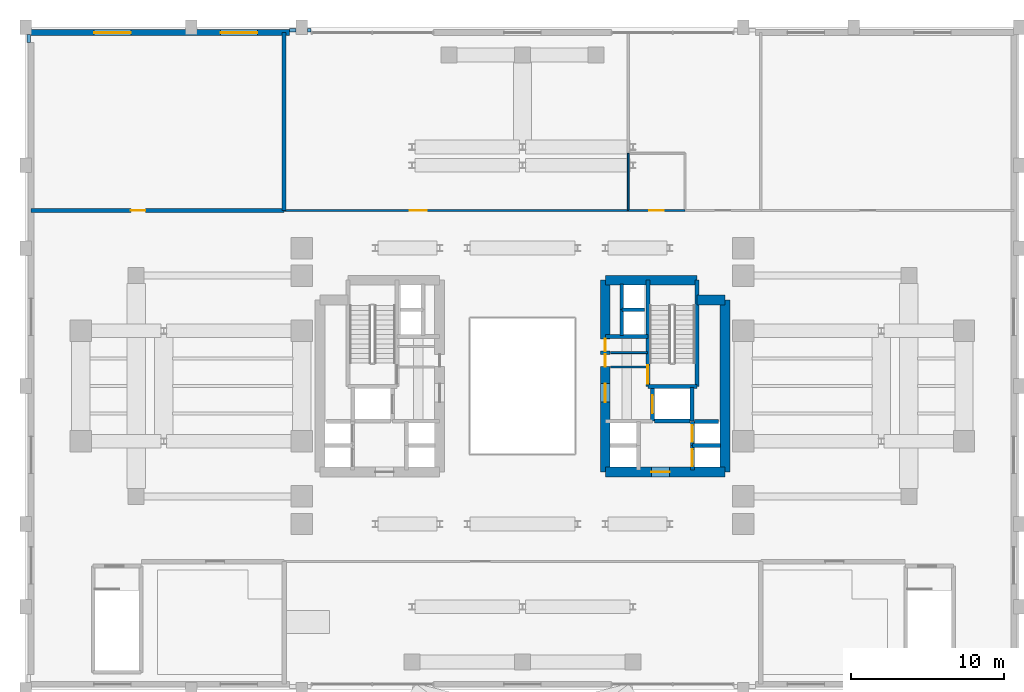
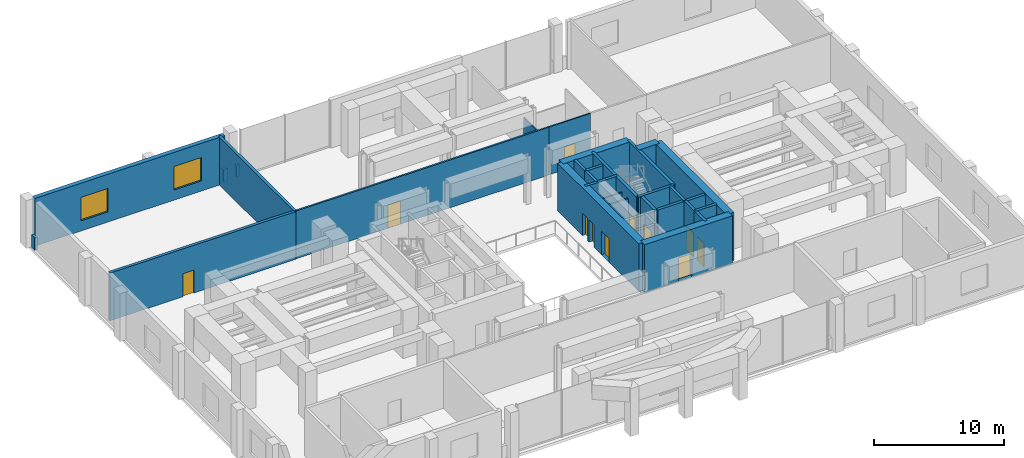
# One storey, part 10 of 13: 30 walls, 11 doors, 2 windows, 13 openings.
"""IFC4 building model written with IfcOpenShell, lengths in metres."""

from ifc_helpers import new_model, si_unit, direction, frame, frame_2d, origin, place, context, subcontext, project, spatial, rectangle, extrude, source, transform, mapped, material, layer, layer_set, type_object, element, fill, save


model = new_model("IFC4")

# Units and contexts
model_context = context("Model", 3, precision=1e-05, world=origin(), true_north=direction((0.0, 1.0)))
body_context = subcontext(model_context, "Body", "Model", "MODEL_VIEW")
ifc_project = project(units=[si_unit("LENGTHUNIT", "METRE"), si_unit("AREAUNIT", "SQUARE_METRE"), si_unit("VOLUMEUNIT", "CUBIC_METRE"), si_unit("PLANEANGLEUNIT", "RADIAN"), si_unit("MASSUNIT", "GRAM", prefix="KILO")], contexts=[model_context])

# Site, building, storey
site_placement = place(None, origin())
site = spatial("IfcSite", under=ifc_project, at=site_placement, CompositionType="ELEMENT")
building_placement = place(site_placement, origin())
building = spatial("IfcBuilding", under=site, at=building_placement, Name="Keilestroom Media Tower", CompositionType="ELEMENT")
storey_placement = place(building_placement, frame((0.0, 0.0, 20.39990234375)))
storey = spatial("IfcBuildingStorey", under=building, at=storey_placement, Name="L04", CompositionType="ELEMENT", Elevation=20.39990234375)

# Wall, opening, door
ifc_material_1 = material(Name="Concrete C45/55", Category="concrete")
ifc_layer_1 = layer(ifc_material_1, 0.25)
ifc_layer_set_1 = layer_set([ifc_layer_1], Name="Concrete C45/55")
wall_type_1 = type_object("IfcWallType", Name="Acoustic-Studio-Isolation-Wall-250", PredefinedType="SOLIDWALL", material=ifc_layer_set_1)
wall_1_placement = place(storey_placement, frame((-32.050048828125, 11.449951171875, 0.0), z_axis=(0.0, 0.0, 1.0), x_axis=(1.0, 0.0, 0.0)))
wall_1 = element("IfcWall", 1, at=wall_1_placement, inside=storey, type_object=wall_type_1, Name="L04 Interior Wall WP-L04-CTRL-NW-S", PredefinedType="SOLIDWALL", context=body_context, shape_type="SweptSolid", body=[
    extrude(rectangle(XDim=16.5, YDim=0.25, at=frame_2d((8.25, 0.0))), origin(), (0.0, 0.0, 1.0), 4.47998046875),
])
opening_1_placement = place(wall_1_placement, frame((6.5, 0.0, 0.0)))
opening_1 = element("IfcOpeningElement", 2, at=opening_1_placement, cuts=wall_1, Name="Opening DI-03", PredefinedType="OPENING", context=body_context, shape_type="SweptSolid", body=[
    extrude(rectangle(XDim=0.949951171875, YDim=2.14990234375, at=frame_2d((0.47509765625, 1.074951171875))), frame((0.0, 0.135009765625, 0.0), z_axis=(0.0, -1.0, 0.0), x_axis=(1.0, 0.0, 0.0)), (0.0, 0.0, 1.0), 0.27001953125),
])
ifc_material_2 = material(Name="Lacquered European Oak Leaf", Category="wood")
door_type_1 = type_object("IfcDoorType", Name="Interior-Room-And-Suite-Door-DI-03", OperationType="NOTDEFINED", PredefinedType="DOOR", material=ifc_material_2)
shared_shape_1 = source(origin(), body_context, "Body", "SweptSolid", [
    extrude(rectangle(XDim=0.949951171875, YDim=2.14990234375, at=frame_2d((0.47509765625, 1.074951171875))), frame((0.0, 0.02490234375, 0.0), z_axis=(0.0, -1.0, 0.0), x_axis=(1.0, 0.0, 0.0)), (0.0, 0.0, 1.0), 0.050048828125),
])
door_1_placement = place(opening_1_placement, origin())
door_1 = element("IfcDoor", 3, at=door_1_placement, inside=storey, type_object=door_type_1, Name="L04 Interior Door DI-L04-CTRL-NW-D", OperationType="SINGLE_SWING_LEFT", OverallHeight=2.14990234375, OverallWidth=0.949951171875, PredefinedType="DOOR", context=body_context, shape_type="MappedRepresentation", body=[
    mapped(shared_shape_1, transform((0.0, 0.0, 0.0), x_axis=(1.0, 0.0, 0.0), y_axis=(0.0, 1.0, 0.0), z_axis=(0.0, 0.0, 1.0), scale=1.0)),
])
fill(opening_1, door_1)

# Wall
wall_2_placement = place(storey_placement, frame((-15.550048828125, 11.449951171875, 0.0), z_axis=(0.0, 0.0, 1.0), x_axis=(0.0, 1.0, 0.0)))
element("IfcWall", 4, at=wall_2_placement, inside=storey, type_object=wall_type_1, Name="L04 Interior Wall WP-L04-CTRL-NW-E", PredefinedType="SOLIDWALL", context=body_context, shape_type="SweptSolid", body=[
    extrude(rectangle(XDim=11.60009765625, YDim=0.25, at=frame_2d((5.800048828125, 0.0))), origin(), (0.0, 0.0, 1.0), 4.47998046875),
])

# Wall, openings, windows
ifc_material_3 = material(Name="Precast concrete C40/50", Category="concrete")
ifc_layer_2 = layer(ifc_material_3, 0.3798828125)
ifc_layer_set_2 = layer_set([ifc_layer_2], Name="Precast concrete C40/50")
wall_type_2 = type_object("IfcWallType", Name="Exterior-Masonry-Spandrel-Wall-380", PredefinedType="SOLIDWALL", material=ifc_layer_set_2)
wall_3_placement = place(storey_placement, frame((-32.050048828125, 23.050048828125, 0.0), z_axis=(0.0, 0.0, 1.0), x_axis=(1.0, 0.0, 0.0)))
wall_3 = element("IfcWall", 5, at=wall_3_placement, inside=storey, type_object=wall_type_2, Name="L04 Podium Precast Masonry Wall EWL-L04-N-W", PredefinedType="SOLIDWALL", context=body_context, shape_type="SweptSolid", body=[
    extrude(rectangle(XDim=16.85009765625, YDim=0.3798828125, at=frame_2d((8.425048828125, 0.0))), origin(), (0.0, 0.0, 1.0), 4.47998046875),
])
opening_2_placement = place(wall_3_placement, frame((4.112060546875, 0.0, 0.949951171875)))
opening_2 = element("IfcOpeningElement", 6, at=opening_2_placement, cuts=wall_3, Name="Opening WN-02", PredefinedType="OPENING", context=body_context, shape_type="SweptSolid", body=[
    extrude(rectangle(XDim=2.39990234375, YDim=2.199951171875, at=frame_2d((1.199951171875, 1.10009765625))), frame((0.0, 0.199951171875, 0.0), z_axis=(0.0, -1.0, 0.0), x_axis=(1.0, 0.0, 0.0)), (0.0, 0.0, 1.0), 0.39990234375),
])
opening_3_placement = place(wall_3_placement, frame((12.362060546875, 0.0, 0.949951171875)))
opening_3 = element("IfcOpeningElement", 7, at=opening_3_placement, cuts=wall_3, Name="Opening WN-02", PredefinedType="OPENING", context=body_context, shape_type="SweptSolid", body=[
    extrude(rectangle(XDim=2.39990234375, YDim=2.199951171875, at=frame_2d((1.199951171875, 1.10009765625))), frame((0.0, 0.199951171875, 0.0), z_axis=(0.0, -1.0, 0.0), x_axis=(1.0, 0.0, 0.0)), (0.0, 0.0, 1.0), 0.39990234375),
])
ifc_material_4 = material(Name="Triple Glazed Low-E Window Unit", Category="glass")
window_type = type_object("IfcWindowType", Name="Recessed-Punched-Window-WN-02", PartitioningType="DOUBLE_PANEL_VERTICAL", PredefinedType="WINDOW", material=ifc_material_4)
shared_shape_2 = source(origin(), body_context, "Body", "SweptSolid", [
    extrude(rectangle(XDim=2.39990234375, YDim=2.199951171875, at=frame_2d((1.199951171875, 1.10009765625))), frame((0.0, 0.030029296875, 0.0), z_axis=(0.0, -1.0, 0.0), x_axis=(1.0, 0.0, 0.0)), (0.0, 0.0, 1.0), 0.06005859375),
])
window_1_placement = place(opening_2_placement, origin())
window_1 = element("IfcWindow", 8, at=window_1_placement, inside=storey, type_object=window_type, Name="L04 Window WN-02 EWL-L04-N-W-1", OverallHeight=2.199951171875, OverallWidth=2.39990234375, PartitioningType="SINGLE_PANEL", PredefinedType="WINDOW", context=body_context, shape_type="MappedRepresentation", body=[
    mapped(shared_shape_2, transform((0.0, 0.0, 0.0), x_axis=(1.0, 0.0, 0.0), y_axis=(0.0, 1.0, 0.0), z_axis=(0.0, 0.0, 1.0), scale=1.0)),
])
fill(opening_2, window_1)
window_2_placement = place(opening_3_placement, origin())
window_2 = element("IfcWindow", 9, at=window_2_placement, inside=storey, type_object=window_type, Name="L04 Window WN-02 EWL-L04-N-W-2", OverallHeight=2.199951171875, OverallWidth=2.39990234375, PartitioningType="SINGLE_PANEL", PredefinedType="WINDOW", context=body_context, shape_type="MappedRepresentation", body=[
    mapped(shared_shape_2, transform((0.0, 0.0, 0.0), x_axis=(1.0, 0.0, 0.0), y_axis=(0.0, 1.0, 0.0), z_axis=(0.0, 0.0, 1.0), scale=1.0)),
])
fill(opening_3, window_2)

# Wall
ifc_material_5 = material(Name="Gypsum Plasterboard & Steel Stud", Category="steel")
ifc_layer_3 = layer(ifc_material_5, 0.1201171875)
ifc_layer_set_3 = layer_set([ifc_layer_3], Name="Gypsum Plasterboard & Steel Stud")
wall_type_3 = type_object("IfcWallType", Name="Interior-Partition-Wall-120", PredefinedType="PARTITIONING", material=ifc_layer_set_3)
wall_4_placement = place(storey_placement, frame((5.75, 2.179931640625, 0.0), z_axis=(0.0, 0.0, 1.0), x_axis=(1.0, 0.0, 0.0)))
element("IfcWall", 10, at=wall_4_placement, inside=storey, type_object=wall_type_3, Name="L04 Interior Wall WP-L04-CNE-N", PredefinedType="PARTITIONING", context=body_context, shape_type="SweptSolid", body=[
    extrude(rectangle(XDim=2.389892578125, YDim=0.1201171875, at=frame_2d((1.19482421875, 0.0))), origin(), (0.0, 0.0, 1.0), 3.580078125),
])

# Wall, opening, door
wall_5_placement = place(storey_placement, frame((6.89990234375, 11.449951171875, 0.0), z_axis=(0.0, 0.0, 1.0), x_axis=(1.0, 0.0, 0.0)))
wall_5 = element("IfcWall", 11, at=wall_5_placement, inside=storey, type_object=wall_type_3, Name="L04 Interior Wall WP-L04-WC-POD-S", PredefinedType="PARTITIONING", context=body_context, shape_type="SweptSolid", body=[
    extrude(rectangle(XDim=3.7001953125, YDim=0.1201171875, at=frame_2d((1.85009765625, 0.0))), origin(), (0.0, 0.0, 1.0), 4.47998046875),
])
opening_4_placement = place(wall_5_placement, frame((1.375, 0.0, 0.0)))
opening_4 = element("IfcOpeningElement", 12, at=opening_4_placement, cuts=wall_5, Name="Opening DI-03", PredefinedType="OPENING", context=body_context, shape_type="SweptSolid", body=[
    extrude(rectangle(XDim=0.949951171875, YDim=2.14990234375, at=frame_2d((0.47509765625, 1.074951171875))), frame((0.0, 0.070068359375, 0.0), z_axis=(0.0, -1.0, 0.0), x_axis=(1.0, 0.0, 0.0)), (0.0, 0.0, 1.0), 0.14013671875),
])
door_2_placement = place(opening_4_placement, origin())
door_2 = element("IfcDoor", 13, at=door_2_placement, inside=storey, type_object=door_type_1, Name="L04 Interior Door DI-L04-DWC-POD", OperationType="SINGLE_SWING_RIGHT", OverallHeight=2.14990234375, OverallWidth=0.949951171875, PredefinedType="DOOR", context=body_context, shape_type="MappedRepresentation", body=[
    mapped(shared_shape_1, transform((0.0, 0.0, 0.0), x_axis=(1.0, 0.0, 0.0), y_axis=(0.0, 1.0, 0.0), z_axis=(0.0, 0.0, 1.0), scale=1.0)),
])
fill(opening_4, door_2)

# Walls
wall_6_placement = place(storey_placement, frame((6.89990234375, 11.449951171875, 0.0), z_axis=(0.0, 0.0, 1.0), x_axis=(0.0, 1.0, 0.0)))
element("IfcWall", 14, at=wall_6_placement, inside=storey, type_object=wall_type_3, Name="L04 Interior Wall WP-L04-WC-POD-W", PredefinedType="PARTITIONING", context=body_context, shape_type="SweptSolid", body=[
    extrude(rectangle(XDim=3.72998046875, YDim=0.1201171875, at=frame_2d((1.864990234375, 0.0))), origin(), (0.0, 0.0, 1.0), 3.130126953125),
])
ifc_layer_4 = layer(ifc_material_5, 0.14990234375)
ifc_layer_set_4 = layer_set([ifc_layer_4], Name="Gypsum Plasterboard & Steel Stud")
wall_type_4 = type_object("IfcWallType", Name="Interior-Partition-Wall-150", PredefinedType="PARTITIONING", material=ifc_layer_set_4)
wall_7_placement = place(storey_placement, frame((5.75, 1.239990234375, 0.0), z_axis=(0.0, 0.0, 1.0), x_axis=(1.0, 0.0, 0.0)))
element("IfcWall", 15, at=wall_7_placement, inside=storey, type_object=wall_type_4, Name="L04 Interior Wall WP-L04-FFE-TOP", PredefinedType="PARTITIONING", context=body_context, shape_type="SweptSolid", body=[
    extrude(rectangle(XDim=2.389892578125, YDim=0.14990234375, at=frame_2d((1.19482421875, 0.0))), origin(), (0.0, 0.0, 1.0), 3.580078125),
])

# Wall, opening, door
wall_8_placement = place(storey_placement, frame((-15.550048828125, 11.449951171875, 0.0), z_axis=(0.0, 0.0, 1.0), x_axis=(1.0, 0.0, 0.0)))
wall_8 = element("IfcWall", 16, at=wall_8_placement, inside=storey, type_object=wall_type_4, Name="L04 Interior Wall WP-L04-GREEN-N-S", PredefinedType="PARTITIONING", context=body_context, shape_type="SweptSolid", body=[
    extrude(rectangle(XDim=22.449951171875, YDim=0.14990234375, at=frame_2d((11.22509765625, 0.0))), origin(), (0.0, 0.0, 1.0), 4.47998046875),
])
opening_5_placement = place(wall_8_placement, frame((8.199951171875, 0.0, 0.0)))
opening_5 = element("IfcOpeningElement", 17, at=opening_5_placement, cuts=wall_8, Name="Opening DI-04", PredefinedType="OPENING", context=body_context, shape_type="SweptSolid", body=[
    extrude(rectangle(XDim=1.10009765625, YDim=2.199951171875, at=frame_2d((0.550048828125, 1.10009765625))), frame((0.0, 0.0849609375, 0.0), z_axis=(0.0, -1.0, 0.0), x_axis=(1.0, 0.0, 0.0)), (0.0, 0.0, 1.0), 0.169921875),
])
ifc_material_6 = material(Name="Acoustic Glazed Aluminium Leaf", Category="aluminium")
door_type_2 = type_object("IfcDoorType", Name="Interior-Room-And-Suite-Door-DI-04", OperationType="NOTDEFINED", PredefinedType="DOOR", material=ifc_material_6)
shared_shape_3 = source(origin(), body_context, "Body", "SweptSolid", [
    extrude(rectangle(XDim=1.10009765625, YDim=2.199951171875, at=frame_2d((0.550048828125, 1.10009765625))), frame((0.0, 0.02490234375, 0.0), z_axis=(0.0, -1.0, 0.0), x_axis=(1.0, 0.0, 0.0)), (0.0, 0.0, 1.0), 0.050048828125),
])
door_3_placement = place(opening_5_placement, origin())
door_3 = element("IfcDoor", 18, at=door_3_placement, inside=storey, type_object=door_type_2, Name="L04 Interior Door DI-L04-GREEN-N-D", OperationType="SINGLE_SWING_LEFT", OverallHeight=2.199951171875, OverallWidth=1.10009765625, PredefinedType="DOOR", context=body_context, shape_type="MappedRepresentation", body=[
    mapped(shared_shape_3, transform((0.0, 0.0, 0.0), x_axis=(1.0, 0.0, 0.0), y_axis=(0.0, 1.0, 0.0), z_axis=(0.0, 0.0, 1.0), scale=1.0)),
])
fill(opening_5, door_3)

# Wall
ifc_material_7 = material(Name="Concrete C70/85", Category="concrete")
ifc_layer_5 = layer(ifc_material_7, 0.64990234375)
ifc_layer_set_5 = layer_set([ifc_layer_5], Name="Concrete C70/85")
wall_type_5 = type_object("IfcWallType", Name="Reinforced-Concrete-Core-Shear-Wall-650", PredefinedType="SHEAR", material=ifc_layer_set_5)
wall_9_placement = place(storey_placement, frame((13.199951171875, -5.60009765625, 0.0), z_axis=(0.0, 0.0, 1.0), x_axis=(0.0, 1.0, 0.0)))
element("IfcWall", 19, at=wall_9_placement, inside=storey, type_object=wall_type_5, Name="L04 Core Shear Wall WL-L04-CORE-E-OUT", PredefinedType="SHEAR", context=body_context, shape_type="SweptSolid", body=[
    extrude(rectangle(XDim=11.2001953125, YDim=0.64990234375, at=frame_2d((5.60009765625, 0.0))), origin(), (0.0, 0.0, 1.0), 4.47998046875),
])

# Wall, openings, doors
wall_10_placement = place(storey_placement, frame((5.39990234375, -5.60009765625, 0.0), z_axis=(0.0, 0.0, 1.0), x_axis=(0.0, 1.0, 0.0)))
wall_10 = element("IfcWall", 20, at=wall_10_placement, inside=storey, type_object=wall_type_5, Name="L04 Core Shear Wall WL-L04-CORE-E-IN", PredefinedType="SHEAR", context=body_context, shape_type="SweptSolid", body=[
    extrude(rectangle(XDim=12.5, YDim=0.64990234375, at=frame_2d((6.25, 0.0))), origin(), (0.0, 0.0, 1.0), 4.47998046875),
])
opening_6_placement = place(wall_10_placement, frame((4.550048828125, 0.0, 0.0)))
opening_6 = element("IfcOpeningElement", 21, at=opening_6_placement, cuts=wall_10, Name="Opening DI-02", PredefinedType="OPENING", context=body_context, shape_type="SweptSolid", body=[
    extrude(rectangle(XDim=1.199951171875, YDim=2.199951171875, at=frame_2d((0.60009765625, 1.10009765625))), frame((0.0, 0.3349609375, 0.0), z_axis=(0.0, -1.0, 0.0), x_axis=(1.0, 0.0, 0.0)), (0.0, 0.0, 1.0), 0.669921875),
])
opening_7_placement = place(wall_10_placement, frame((6.860107421875, 0.0, 0.0)))
opening_7 = element("IfcOpeningElement", 22, at=opening_7_placement, cuts=wall_10, Name="Opening DI-06", PredefinedType="OPENING", context=body_context, shape_type="SweptSolid", body=[
    extrude(rectangle(XDim=0.800048828125, YDim=2.10009765625, at=frame_2d((0.39990234375, 1.050048828125))), frame((0.0, 0.3349609375, 0.0), z_axis=(0.0, -1.0, 0.0), x_axis=(1.0, 0.0, 0.0)), (0.0, 0.0, 1.0), 0.669921875),
])
opening_8_placement = place(wall_10_placement, frame((7.8798828125, 0.0, 0.0)))
opening_8 = element("IfcOpeningElement", 23, at=opening_8_placement, cuts=wall_10, Name="Opening DI-06", PredefinedType="OPENING", context=body_context, shape_type="SweptSolid", body=[
    extrude(rectangle(XDim=0.800048828125, YDim=2.10009765625, at=frame_2d((0.39990234375, 1.050048828125))), frame((0.0, 0.3349609375, 0.0), z_axis=(0.0, -1.0, 0.0), x_axis=(1.0, 0.0, 0.0)), (0.0, 0.0, 1.0), 0.669921875),
])
ifc_material_8 = material(Name="Powder-Coated Steel Fire Leaf", Category="steel")
door_type_3 = type_object("IfcDoorType", Name="Interior-Compartment-Fire-Door-DI-02", OperationType="NOTDEFINED", PredefinedType="DOOR", material=ifc_material_8)
shared_shape_4 = source(origin(), body_context, "Body", "SweptSolid", [
    extrude(rectangle(XDim=1.199951171875, YDim=2.199951171875, at=frame_2d((0.60009765625, 1.10009765625))), frame((0.0, 0.02490234375, 0.0), z_axis=(0.0, -1.0, 0.0), x_axis=(1.0, 0.0, 0.0)), (0.0, 0.0, 1.0), 0.050048828125),
])
door_4_placement = place(opening_6_placement, origin())
door_4 = element("IfcDoor", 24, at=door_4_placement, inside=storey, type_object=door_type_3, Name="L04 E Firefighting Lobby Door", OperationType="SINGLE_SWING_LEFT", OverallHeight=2.199951171875, OverallWidth=1.199951171875, PredefinedType="DOOR", context=body_context, shape_type="MappedRepresentation", body=[
    mapped(shared_shape_4, transform((0.0, 0.0, 0.0), x_axis=(1.0, 0.0, 0.0), y_axis=(0.0, 1.0, 0.0), z_axis=(0.0, 0.0, 1.0), scale=1.0)),
])
fill(opening_6, door_4)
ifc_material_9 = material(Name="Powder-Coated Steel Service Leaf", Category="steel")
door_type_4 = type_object("IfcDoorType", Name="Interior-Riser-Access-Door-DI-06", OperationType="NOTDEFINED", PredefinedType="DOOR", material=ifc_material_9)
shared_shape_5 = source(origin(), body_context, "Body", "SweptSolid", [
    extrude(rectangle(XDim=0.800048828125, YDim=2.10009765625, at=frame_2d((0.39990234375, 1.050048828125))), frame((0.0, 0.02490234375, 0.0), z_axis=(0.0, -1.0, 0.0), x_axis=(1.0, 0.0, 0.0)), (0.0, 0.0, 1.0), 0.050048828125),
])
door_5_placement = place(opening_7_placement, origin())
door_5 = element("IfcDoor", 25, at=door_5_placement, inside=storey, type_object=door_type_4, Name="L04 East Core Telecom Door", OperationType="SINGLE_SWING_RIGHT", OverallHeight=2.10009765625, OverallWidth=0.800048828125, PredefinedType="DOOR", context=body_context, shape_type="MappedRepresentation", body=[
    mapped(shared_shape_5, transform((0.0, 0.0, 0.0), x_axis=(1.0, 0.0, 0.0), y_axis=(0.0, 1.0, 0.0), z_axis=(0.0, 0.0, 1.0), scale=1.0)),
])
fill(opening_7, door_5)
door_6_placement = place(opening_8_placement, origin())
door_6 = element("IfcDoor", 26, at=door_6_placement, inside=storey, type_object=door_type_4, Name="L04 East Core Closet Door", OperationType="SINGLE_SWING_RIGHT", OverallHeight=2.10009765625, OverallWidth=0.800048828125, PredefinedType="DOOR", context=body_context, shape_type="MappedRepresentation", body=[
    mapped(shared_shape_5, transform((0.0, 0.0, 0.0), x_axis=(1.0, 0.0, 0.0), y_axis=(0.0, 1.0, 0.0), z_axis=(0.0, 0.0, 1.0), scale=1.0)),
])
fill(opening_8, door_6)

# Walls
wall_11_placement = place(storey_placement, frame((5.39990234375, 6.89990234375, 0.0), z_axis=(0.0, 0.0, 1.0), x_axis=(1.0, 0.0, 0.0)))
element("IfcWall", 27, at=wall_11_placement, inside=storey, type_object=wall_type_5, Name="L04 Core Shear Wall WL-L04-CORE-E-N", PredefinedType="SHEAR", context=body_context, shape_type="SweptSolid", body=[
    extrude(rectangle(XDim=5.981201171875, YDim=0.64990234375, at=frame_2d((2.99072265625, 0.0))), origin(), (0.0, 0.0, 1.0), 4.47998046875),
])
wall_12_placement = place(storey_placement, frame((11.381103515625, 5.60009765625, 0.0), z_axis=(0.0, 0.0, 1.0), x_axis=(1.0, 0.0, 0.0)))
element("IfcWall", 28, at=wall_12_placement, inside=storey, type_object=wall_type_5, Name="L04 Core Shear Wall WL-L04-CNE-N", PredefinedType="SHEAR", context=body_context, shape_type="SweptSolid", body=[
    extrude(rectangle(XDim=1.81884765625, YDim=0.64990234375, at=frame_2d((0.909423828125, 0.0))), origin(), (0.0, 0.0, 1.0), 4.47998046875),
])

# Wall, opening, door
wall_13_placement = place(storey_placement, frame((5.39990234375, -5.60009765625, 0.0), z_axis=(0.0, 0.0, 1.0), x_axis=(1.0, 0.0, 0.0)))
wall_13 = element("IfcWall", 29, at=wall_13_placement, inside=storey, type_object=wall_type_5, Name="L04 Core Shear Wall WL-L04-CORE-E-S", PredefinedType="SHEAR", context=body_context, shape_type="SweptSolid", body=[
    extrude(rectangle(XDim=7.800048828125, YDim=0.64990234375, at=frame_2d((3.89990234375, 0.0))), origin(), (0.0, 0.0, 1.0), 4.47998046875),
])
opening_9_placement = place(wall_13_placement, frame((3.0, 0.0, 0.0)))
opening_9 = element("IfcOpeningElement", 30, at=opening_9_placement, cuts=wall_13, Name="Opening DI-02", PredefinedType="OPENING", context=body_context, shape_type="SweptSolid", body=[
    extrude(rectangle(XDim=1.199951171875, YDim=2.199951171875, at=frame_2d((0.60009765625, 1.10009765625))), frame((0.0, 0.3349609375, 0.0), z_axis=(0.0, -1.0, 0.0), x_axis=(1.0, 0.0, 0.0)), (0.0, 0.0, 1.0), 0.669921875),
])
door_7_placement = place(opening_9_placement, origin())
door_7 = element("IfcDoor", 31, at=door_7_placement, inside=storey, type_object=door_type_3, Name="L04 E Passenger Lift Lobby Door", OperationType="SINGLE_SWING_RIGHT", OverallHeight=2.199951171875, OverallWidth=1.199951171875, PredefinedType="DOOR", context=body_context, shape_type="MappedRepresentation", body=[
    mapped(shared_shape_4, transform((0.0, 0.0, 0.0), x_axis=(1.0, 0.0, 0.0), y_axis=(0.0, 1.0, 0.0), z_axis=(0.0, 0.0, 1.0), scale=1.0)),
])
fill(opening_9, door_7)

# Wall
ifc_material_10 = material(Name="Concrete C50/60", Category="concrete")
ifc_layer_6 = layer(ifc_material_10, 0.25)
ifc_layer_set_6 = layer_set([ifc_layer_6], Name="Concrete C50/60")
wall_type_6 = type_object("IfcWallType", Name="Reinforced-Concrete-Shaft-Wall-250", PredefinedType="SOLIDWALL", material=ifc_layer_set_6)
wall_14_placement = place(storey_placement, frame((5.39990234375, 3.219970703125, 0.0), z_axis=(0.0, 0.0, 1.0), x_axis=(1.0, 0.0, 0.0)))
element("IfcWall", 32, at=wall_14_placement, inside=storey, type_object=wall_type_6, Name="L04 Core Shear Wall WL-L04-CORE-E-FFN", PredefinedType="SOLIDWALL", context=body_context, shape_type="SweptSolid", body=[
    extrude(rectangle(XDim=2.780029296875, YDim=0.25, at=frame_2d((1.39013671875, 0.0))), origin(), (0.0, 0.0, 1.0), 4.47998046875),
])

# Wall, opening, door
wall_15_placement = place(storey_placement, frame((8.178955078125, -0.041015625, 0.0), z_axis=(0.0, 0.0, 1.0), x_axis=(0.0, 1.0, 0.0)))
wall_15 = element("IfcWall", 33, at=wall_15_placement, inside=storey, type_object=wall_type_6, Name="L04 Core Shear Wall WL-L04-STW-E-NEAR", PredefinedType="SOLIDWALL", context=body_context, shape_type="SweptSolid", body=[
    extrude(rectangle(XDim=6.94091796875, YDim=0.25, at=frame_2d((3.470458984375, 0.0))), origin(), (0.0, 0.0, 1.0), 4.47998046875),
])
opening_10_placement = place(wall_15_placement, frame((0.199951171875, 0.0, 0.0)))
opening_10 = element("IfcOpeningElement", 34, at=opening_10_placement, cuts=wall_15, Name="Opening DI-01S", PredefinedType="OPENING", context=body_context, shape_type="SweptSolid", body=[
    extrude(rectangle(XDim=1.199951171875, YDim=2.199951171875, at=frame_2d((0.60009765625, 1.10009765625))), frame((0.0, 0.135009765625, 0.0), z_axis=(0.0, -1.0, 0.0), x_axis=(1.0, 0.0, 0.0)), (0.0, 0.0, 1.0), 0.27001953125),
])
door_type_5 = type_object("IfcDoorType", Name="Interior-Stair-And-Core-Fire-Door-DI-01", OperationType="NOTDEFINED", PredefinedType="DOOR", material=ifc_material_8)
door_8_placement = place(opening_10_placement, origin())
door_8 = element("IfcDoor", 35, at=door_8_placement, inside=storey, type_object=door_type_5, Name="L04 Escape Stair ST-2 Fire Door", OperationType="SINGLE_SWING_RIGHT", OverallHeight=2.199951171875, OverallWidth=1.199951171875, PredefinedType="DOOR", context=body_context, shape_type="MappedRepresentation", body=[
    mapped(shared_shape_4, transform((0.0, 0.0, 0.0), x_axis=(1.0, 0.0, 0.0), y_axis=(0.0, 1.0, 0.0), z_axis=(0.0, 0.0, 1.0), scale=1.0)),
])
fill(opening_10, door_8)

# Walls
wall_16_placement = place(storey_placement, frame((11.381103515625, -0.041015625, 0.0), z_axis=(0.0, 0.0, 1.0), x_axis=(0.0, 1.0, 0.0)))
element("IfcWall", 36, at=wall_16_placement, inside=storey, type_object=wall_type_6, Name="L04 Core Shear Wall WL-L04-STW-E-FAR", PredefinedType="SOLIDWALL", context=body_context, shape_type="SweptSolid", body=[
    extrude(rectangle(XDim=6.94091796875, YDim=0.25, at=frame_2d((3.470458984375, 0.0))), origin(), (0.0, 0.0, 1.0), 4.47998046875),
])
wall_17_placement = place(storey_placement, frame((8.178955078125, -0.041015625, 0.0), z_axis=(0.0, 0.0, 1.0), x_axis=(1.0, 0.0, 0.0)))
element("IfcWall", 37, at=wall_17_placement, inside=storey, type_object=wall_type_6, Name="L04 Core Shear Wall WL-L04-STW-E-S", PredefinedType="SOLIDWALL", context=body_context, shape_type="SweptSolid", body=[
    extrude(rectangle(XDim=3.2021484375, YDim=0.25, at=frame_2d((1.60107421875, 0.0))), origin(), (0.0, 0.0, 1.0), 4.47998046875),
])

# Wall, opening, door
wall_18_placement = place(storey_placement, frame((8.47998046875, -2.280029296875, 0.0), z_axis=(0.0, 0.0, 1.0), x_axis=(0.0, 1.0, 0.0)))
wall_18 = element("IfcWall", 38, at=wall_18_placement, inside=storey, type_object=wall_type_6, Name="L04 Core Shear Wall WL-L04-LSH-FFL-2-W", PredefinedType="SOLIDWALL", context=body_context, shape_type="SweptSolid", body=[
    extrude(rectangle(XDim=2.179931640625, YDim=0.25, at=frame_2d((1.08984375, 0.0))), origin(), (0.0, 0.0, 1.0), 4.47998046875),
])
opening_11_placement = place(wall_18_placement, frame((0.489990234375, 0.0, 0.0)))
opening_11 = element("IfcOpeningElement", 39, at=opening_11_placement, cuts=wall_18, Name="Opening LD-02", PredefinedType="OPENING", context=body_context, shape_type="SweptSolid", body=[
    extrude(rectangle(XDim=1.199951171875, YDim=2.199951171875, at=frame_2d((0.60009765625, 1.10009765625))), frame((0.0, 0.135009765625, 0.0), z_axis=(0.0, -1.0, 0.0), x_axis=(1.0, 0.0, 0.0)), (0.0, 0.0, 1.0), 0.27001953125),
])
ifc_material_11 = material(Name="Brushed Stainless Steel Sliding Leaf", Category="steel")
door_type_6 = type_object("IfcDoorType", Name="Lift-Landing-Sliding-Door-LD-02", OperationType="SLIDING_TO_RIGHT", PredefinedType="DOOR", material=ifc_material_11)
door_9_placement = place(opening_11_placement, origin())
door_9 = element("IfcDoor", 40, at=door_9_placement, inside=storey, type_object=door_type_6, Name="L04 Lift FFL-2 Landing Sliding Door", OperationType="SLIDING_TO_RIGHT", OverallHeight=2.199951171875, OverallWidth=1.199951171875, PredefinedType="DOOR", context=body_context, shape_type="MappedRepresentation", body=[
    mapped(shared_shape_4, transform((0.0, 0.0, 0.0), x_axis=(1.0, 0.0, 0.0), y_axis=(0.0, 1.0, 0.0), z_axis=(0.0, 0.0, 1.0), scale=1.0)),
])
fill(opening_11, door_9)

# Walls
wall_19_placement = place(storey_placement, frame((11.050048828125, -2.280029296875, 0.0), z_axis=(0.0, 0.0, 1.0), x_axis=(0.0, 1.0, 0.0)))
element("IfcWall", 41, at=wall_19_placement, inside=storey, type_object=wall_type_6, Name="L04 Core Shear Wall WL-L04-LSH-FFL-2-E", PredefinedType="SOLIDWALL", context=body_context, shape_type="SweptSolid", body=[
    extrude(rectangle(XDim=2.179931640625, YDim=0.25, at=frame_2d((1.08984375, 0.0))), origin(), (0.0, 0.0, 1.0), 4.47998046875),
])
wall_20_placement = place(storey_placement, frame((8.60888671875, -2.280029296875, 0.0), z_axis=(0.0, 0.0, 1.0), x_axis=(1.0, 0.0, 0.0)))
element("IfcWall", 42, at=wall_20_placement, inside=storey, type_object=wall_type_6, Name="L04 Core Shear Wall WL-L04-LSH-FFL-2-S", PredefinedType="SOLIDWALL", context=body_context, shape_type="SweptSolid", body=[
    extrude(rectangle(XDim=2.31201171875, YDim=0.25, at=frame_2d((1.156005859375, 0.0))), origin(), (0.0, 0.0, 1.0), 4.47998046875),
])

# Wall, opening, door
wall_21_placement = place(storey_placement, frame((11.080078125, -5.47998046875, 0.0), z_axis=(0.0, 0.0, 1.0), x_axis=(0.0, 1.0, 0.0)))
wall_21 = element("IfcWall", 43, at=wall_21_placement, inside=storey, type_object=wall_type_6, Name="L04 Core Shear Wall WL-L04-LSH-PL-L3-W", PredefinedType="SOLIDWALL", context=body_context, shape_type="SweptSolid", body=[
    extrude(rectangle(XDim=1.60009765625, YDim=0.25, at=frame_2d((0.800048828125, 0.0))), origin(), (0.0, 0.0, 1.0), 4.47998046875),
])
opening_12_placement = place(wall_21_placement, frame((0.25, 0.0, 0.0)))
opening_12 = element("IfcOpeningElement", 44, at=opening_12_placement, cuts=wall_21, Name="Opening LD-01", PredefinedType="OPENING", context=body_context, shape_type="SweptSolid", body=[
    extrude(rectangle(XDim=1.10009765625, YDim=2.199951171875, at=frame_2d((0.550048828125, 1.10009765625))), frame((0.0, 0.135009765625, 0.0), z_axis=(0.0, -1.0, 0.0), x_axis=(1.0, 0.0, 0.0)), (0.0, 0.0, 1.0), 0.27001953125),
])
door_type_7 = type_object("IfcDoorType", Name="Lift-Landing-Sliding-Door-LD-01", OperationType="SLIDING_TO_LEFT", PredefinedType="DOOR", material=ifc_material_11)
door_10_placement = place(opening_12_placement, origin())
door_10 = element("IfcDoor", 45, at=door_10_placement, inside=storey, type_object=door_type_7, Name="L04 Lift PL-L3 Landing Sliding Door", OperationType="SLIDING_TO_LEFT", OverallHeight=2.199951171875, OverallWidth=1.10009765625, PredefinedType="DOOR", context=body_context, shape_type="MappedRepresentation", body=[
    mapped(shared_shape_3, transform((0.0, 0.0, 0.0), x_axis=(1.0, 0.0, 0.0), y_axis=(0.0, 1.0, 0.0), z_axis=(0.0, 0.0, 1.0), scale=1.0)),
])
fill(opening_12, door_10)

# Wall
wall_22_placement = place(storey_placement, frame((11.080078125, -3.8798828125, 0.0), z_axis=(0.0, 0.0, 1.0), x_axis=(1.0, 0.0, 0.0)))
element("IfcWall", 46, at=wall_22_placement, inside=storey, type_object=wall_type_6, Name="L04 Core Shear Wall WL-L04-LSH-PL-L3-N", PredefinedType="SOLIDWALL", context=body_context, shape_type="SweptSolid", body=[
    extrude(rectangle(XDim=1.83984375, YDim=0.25, at=frame_2d((0.919921875, 0.0))), origin(), (0.0, 0.0, 1.0), 4.47998046875),
])

# Wall, opening, door
wall_23_placement = place(storey_placement, frame((11.080078125, -3.8798828125, 0.0), z_axis=(0.0, 0.0, 1.0), x_axis=(0.0, 1.0, 0.0)))
wall_23 = element("IfcWall", 47, at=wall_23_placement, inside=storey, type_object=wall_type_6, Name="L04 Core Shear Wall WL-L04-LSH-PL-L4-W", PredefinedType="SOLIDWALL", context=body_context, shape_type="SweptSolid", body=[
    extrude(rectangle(XDim=1.559814453125, YDim=0.25, at=frame_2d((0.77978515625, 0.0))), origin(), (0.0, 0.0, 1.0), 4.47998046875),
])
opening_13_placement = place(wall_23_placement, frame((0.22998046875, 0.0, 0.0)))
opening_13 = element("IfcOpeningElement", 48, at=opening_13_placement, cuts=wall_23, Name="Opening LD-01", PredefinedType="OPENING", context=body_context, shape_type="SweptSolid", body=[
    extrude(rectangle(XDim=1.10009765625, YDim=2.199951171875, at=frame_2d((0.550048828125, 1.10009765625))), frame((0.0, 0.135009765625, 0.0), z_axis=(0.0, -1.0, 0.0), x_axis=(1.0, 0.0, 0.0)), (0.0, 0.0, 1.0), 0.27001953125),
])
door_11_placement = place(opening_13_placement, origin())
door_11 = element("IfcDoor", 49, at=door_11_placement, inside=storey, type_object=door_type_7, Name="L04 Lift PL-L4 Landing Sliding Door", OperationType="SLIDING_TO_LEFT", OverallHeight=2.199951171875, OverallWidth=1.10009765625, PredefinedType="DOOR", context=body_context, shape_type="MappedRepresentation", body=[
    mapped(shared_shape_3, transform((0.0, 0.0, 0.0), x_axis=(1.0, 0.0, 0.0), y_axis=(0.0, 1.0, 0.0), z_axis=(0.0, 0.0, 1.0), scale=1.0)),
])
fill(opening_13, door_11)

# Walls
wall_24_placement = place(storey_placement, frame((11.208984375, -2.320068359375, 0.0), z_axis=(0.0, 0.0, 1.0), x_axis=(1.0, 0.0, 0.0)))
element("IfcWall", 50, at=wall_24_placement, inside=storey, type_object=wall_type_6, Name="L04 Core Shear Wall WL-L04-LSH-PL-L4-N", PredefinedType="SOLIDWALL", context=body_context, shape_type="SweptSolid", body=[
    extrude(rectangle(XDim=1.58203125, YDim=0.25, at=frame_2d((0.791015625, 0.0))), origin(), (0.0, 0.0, 1.0), 4.47998046875),
])
wall_25_placement = place(storey_placement, frame((6.47998046875, 3.300048828125, 0.0), z_axis=(0.0, 0.0, 1.0), x_axis=(0.0, 1.0, 0.0)))
element("IfcWall", 51, at=wall_25_placement, inside=storey, type_object=wall_type_6, Name="L04 Core Shear Wall WL-L04-LSH-PL-H3-W", PredefinedType="SOLIDWALL", context=body_context, shape_type="SweptSolid", body=[
    extrude(rectangle(XDim=1.679931640625, YDim=0.25, at=frame_2d((0.83984375, 0.0))), origin(), (0.0, 0.0, 1.0), 4.47998046875),
])
wall_26_placement = place(storey_placement, frame((6.47998046875, 4.97998046875, 0.0), z_axis=(0.0, 0.0, 1.0), x_axis=(1.0, 0.0, 0.0)))
element("IfcWall", 52, at=wall_26_placement, inside=storey, type_object=wall_type_6, Name="L04 Core Shear Wall WL-L04-LSH-PL-H3-N", PredefinedType="SOLIDWALL", context=body_context, shape_type="SweptSolid", body=[
    extrude(rectangle(XDim=1.469970703125, YDim=0.25, at=frame_2d((0.73486328125, 0.0))), origin(), (0.0, 0.0, 1.0), 4.47998046875),
])
wall_27_placement = place(storey_placement, frame((6.47998046875, 4.97998046875, 0.0), z_axis=(0.0, 0.0, 1.0), x_axis=(0.0, 1.0, 0.0)))
element("IfcWall", 53, at=wall_27_placement, inside=storey, type_object=wall_type_6, Name="L04 Core Shear Wall WL-L04-LSH-PL-H4-W", PredefinedType="SOLIDWALL", context=body_context, shape_type="SweptSolid", body=[
    extrude(rectangle(XDim=1.669921875, YDim=0.25, at=frame_2d((0.8349609375, 0.0))), origin(), (0.0, 0.0, 1.0), 4.47998046875),
])
ifc_layer_7 = layer(ifc_material_3, 0.239990234375)
ifc_layer_set_7 = layer_set([ifc_layer_7], Name="Precast concrete C40/50")
wall_type_7 = type_object("IfcWallType", Name="Roof-And-Terrace-Parapet-Wall-240", PredefinedType="PARAPET", material=ifc_layer_set_7)
wall_28_placement = place(storey_placement, frame((-32.199951171875, 22.403076171875, 0.0), z_axis=(0.0, 0.0, 1.0), x_axis=(0.0, 1.0, 0.0)))
element("IfcWall", 54, at=wall_28_placement, inside=storey, type_object=wall_type_7, Name="L04 Perimeter Edge Parapet Wall 02", PredefinedType="PARAPET", context=body_context, shape_type="SweptSolid", body=[
    extrude(rectangle(XDim=0.51904296875, YDim=0.239990234375, at=frame_2d((0.259521484375, 0.0))), origin(), (0.0, 0.0, 1.0), 1.150146484375),
])
wall_29_placement = place(storey_placement, frame((-15.197021484375, 23.199951171875, 0.0), z_axis=(0.0, 0.0, 1.0), x_axis=(1.0, 0.0, 0.0)))
element("IfcWall", 55, at=wall_29_placement, inside=storey, type_object=wall_type_7, Name="L04 Perimeter Edge Parapet Wall 03", PredefinedType="PARAPET", context=body_context, shape_type="SweptSolid", body=[
    extrude(rectangle(XDim=0.4189453125, YDim=0.239990234375, at=frame_2d((0.20947265625, 0.0))), origin(), (0.0, 0.0, 1.0), 1.150146484375),
])
wall_30_placement = place(storey_placement, frame((-14.02197265625, 23.199951171875, 0.0), z_axis=(0.0, 0.0, 1.0), x_axis=(1.0, 0.0, 0.0)))
element("IfcWall", 56, at=wall_30_placement, inside=storey, type_object=wall_type_7, Name="L04 Perimeter Edge Parapet Wall 04", PredefinedType="PARAPET", context=body_context, shape_type="SweptSolid", body=[
    extrude(rectangle(XDim=0.239013671875, YDim=0.239990234375, at=frame_2d((0.11962890625, 0.0))), origin(), (0.0, 0.0, 1.0), 1.150146484375),
])

save(model, "model.ifc")
